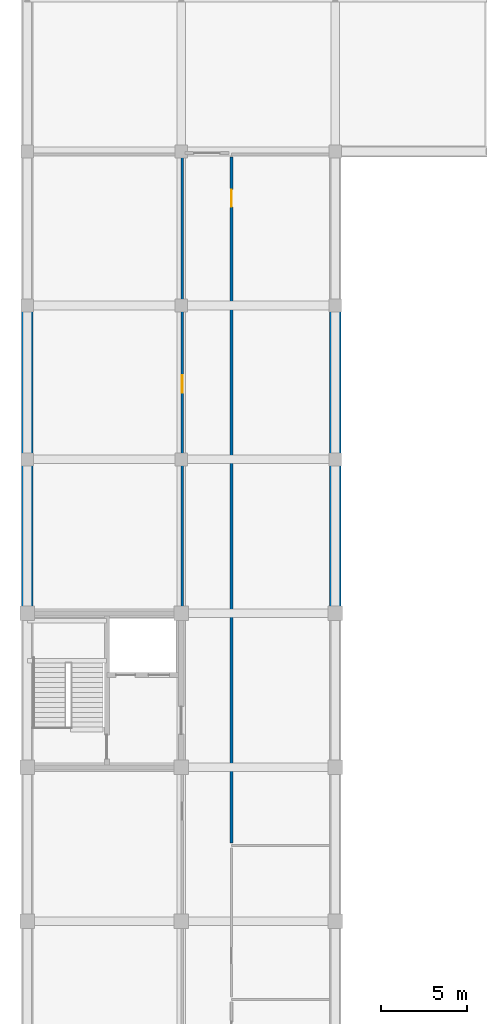
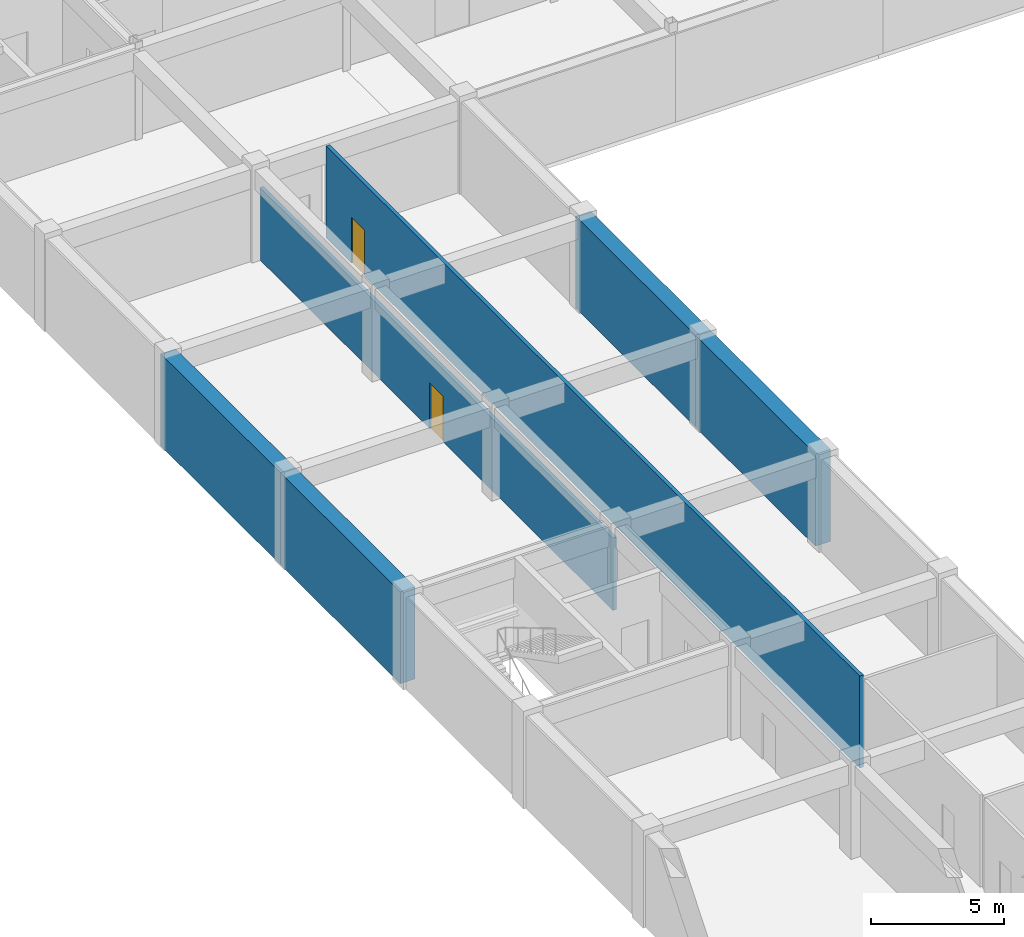
# One storey, part 20 of 35: 6 walls, 2 doors, 2 openings.
"""IFC4 building model written with IfcOpenShell, lengths in metres."""

import ifcopenshell
import ifcopenshell.guid

model = None  # the IFC model being written
_history = None  # IfcOwnerHistory: only IFC2X3 demands one
_inside = {}  # id of a spatial element -> (the spatial element, [elements in it])
_under = {}  # id of a project, library or spatial element -> (it, [spatial elements below it])
_declared = {}  # id of a project -> (the project, [libraries it declares])
_typed = {}  # id of a type object -> (the type object, [elements of that type])
_made_of = {}  # id of a material, layer set ... -> (it, [elements and type objects made of it])


def new_model(schema):
    """Start an empty IFC model of exactly this schema.

    Asked for "IFC4X3", IfcOpenShell would pick the latest addendum, in which some entities
    have other attributes; the version numbers below select the first issue.
    IFC2X3 requires an IfcOwnerHistory on every rooted entity: one is made here for all.
    """
    global model, _history
    if schema == "IFC4X3":
        model = ifcopenshell.file(schema_version=(4, 3, 0, 0))
    else:
        model = ifcopenshell.file(schema=schema)
    _inside.clear()
    _under.clear()
    _declared.clear()
    _typed.clear()
    _made_of.clear()
    _history = None
    if model.schema == "IFC2X3":
        org = make("IfcOrganization", Name="unknown")
        user = make(
            "IfcPersonAndOrganization",
            ThePerson=make("IfcPerson", FamilyName="unknown"),
            TheOrganization=org,
        )
        app = make(
            "IfcApplication",
            ApplicationDeveloper=org,
            Version="unknown",
            ApplicationFullName="unknown",
            ApplicationIdentifier="unknown",
        )
        _history = make(
            "IfcOwnerHistory",
            OwningUser=user,
            OwningApplication=app,
            ChangeAction="ADDED",
            CreationDate=0,
        )
    return model


def make(cls, **values):
    """One entity of the class cls with the attributes given. An attribute that is None is left unset."""
    return model.create_entity(
        cls, **{name: value for name, value in values.items() if value is not None}
    )


def rooted(cls, **values):
    """An entity with a GlobalId (a new one), such as an element, a storey or a relation."""
    return make(cls, GlobalId=ifcopenshell.guid.new(), OwnerHistory=_history, **values)


def si_unit(unit_type, name, prefix=None):
    """IfcSIUnit, for example si_unit("LENGTHUNIT", "METRE", prefix="MILLI")."""
    return make("IfcSIUnit", UnitType=unit_type, Prefix=prefix, Name=name)


def assignment(units):
    """IfcUnitAssignment: the units of a project."""
    return None if units is None else make("IfcUnitAssignment", Units=units)


def point(xyz):
    """IfcCartesianPoint."""
    return None if xyz is None else make("IfcCartesianPoint", Coordinates=xyz)


def direction(xyz):
    """IfcDirection."""
    return None if xyz is None else make("IfcDirection", DirectionRatios=xyz)


def frame(location, z_axis=None, x_axis=None):
    """IfcAxis2Placement3D, a coordinate frame: its origin and axes. An axis left out is left unset."""
    return make(
        "IfcAxis2Placement3D",
        Location=point(location),
        Axis=direction(z_axis),
        RefDirection=direction(x_axis),
    )


def frame_2d(location, x_axis=None):
    """IfcAxis2Placement2D, a coordinate frame in the plane: its origin and x axis."""
    return make(
        "IfcAxis2Placement2D", Location=point(location), RefDirection=direction(x_axis)
    )


def origin():
    """The frame at (0, 0, 0) with its axes left unset."""
    return frame((0.0, 0.0, 0.0))


def place(relative_to, where):
    """IfcLocalPlacement: puts the frame where relative to a parent placement (None: the world)."""
    return make(
        "IfcLocalPlacement", PlacementRelTo=relative_to, RelativePlacement=where
    )


def context(
    kind, dimensions, precision=None, world=None, true_north=None, identifier=None
):
    """IfcGeometricRepresentationContext, for example the 3D "Model" context."""
    return make(
        "IfcGeometricRepresentationContext",
        ContextIdentifier=identifier,
        ContextType=kind,
        CoordinateSpaceDimension=dimensions,
        Precision=precision,
        WorldCoordinateSystem=world,
        TrueNorth=true_north,
    )


def subcontext(parent, identifier, kind, view, scale=None):
    """IfcGeometricRepresentationSubContext, for example "Body" below "Model"."""
    return make(
        "IfcGeometricRepresentationSubContext",
        ContextIdentifier=identifier,
        ContextType=kind,
        ParentContext=parent,
        TargetScale=scale,
        TargetView=view,
    )


def project(units=None, contexts=None):
    """IfcProject with its units and contexts."""
    return rooted(
        "IfcProject",
        Name="project",
        RepresentationContexts=contexts,
        UnitsInContext=assignment(units),
    )


def spatial(cls, under=None, at=None, **own):
    """A site, building, storey or space (cls), placed at a placement, below another one or the project."""
    s = rooted(cls, ObjectPlacement=at, **own)
    if under is not None:
        _under.setdefault(under.id(), (under, []))[1].append(s)
    return s


def profile(cls, at=None, kind="AREA", **sizes):
    """A parametric profile (cls). Its sizes go by their IFC names, for example OverallWidth=200.0."""
    return make(cls, ProfileType=kind, Position=at, **sizes)


def rectangle(**sizes):
    """IfcRectangleProfileDef."""
    return profile("IfcRectangleProfileDef", **sizes)


def extrude(swept, where, along, depth):
    """IfcExtrudedAreaSolid: the profile swept, set in the frame where, extruded along a direction by depth."""
    return make(
        "IfcExtrudedAreaSolid",
        SweptArea=swept,
        Position=where,
        ExtrudedDirection=direction(along),
        Depth=depth,
    )


def shape(context_of_items, identifier, shape_type, items):
    """IfcShapeRepresentation: the items that make up one representation, for example the "Body"."""
    return make(
        "IfcShapeRepresentation",
        ContextOfItems=context_of_items,
        RepresentationIdentifier=identifier,
        RepresentationType=shape_type,
        Items=items,
    )


def material(Name=None, Category=None):
    """IfcMaterial."""
    return make("IfcMaterial", Name=Name, Category=Category)


def layer(
    of_material, thickness, ventilated=None, Name=None, Category=None, Priority=None
):
    """IfcMaterialLayer: one layer of a wall or slab, of a material (None: an air gap)."""
    return make(
        "IfcMaterialLayer",
        Material=of_material,
        LayerThickness=thickness,
        IsVentilated=ventilated,
        Name=Name,
        Category=Category,
        Priority=Priority,
    )


def layer_set(layers, Name=None):
    """IfcMaterialLayerSet."""
    return make("IfcMaterialLayerSet", MaterialLayers=layers, LayerSetName=Name)


def made_of(thing, what):
    """Note that an element or type object is made of a material, layer set ...; save() writes the relation."""
    if what is not None:
        _made_of.setdefault(what.id(), (what, []))[1].append(thing)
    return thing


def type_object(cls, material=None, **own):
    """A type object (cls), such as IfcWallType, which elements share."""
    return made_of(rooted(cls, **own), material)


def element(
    cls,
    number,
    at=None,
    inside=None,
    cuts=None,
    type_object=None,
    material=None,
    context=None,
    identifier="Body",
    shape_type=None,
    held_by="IfcProductDefinitionShape",
    body=None,
    shapes=None,
    **own,
):
    """One element of the class cls, such as IfcWall. Its Tag is "e" and its number.

    at: its placement. inside: the storey or other place that contains it. cuts: it is an
    opening in that element (IfcRelVoidsElement). A single representation is given by context,
    identifier, shape_type and body (its items); several are given by shapes. held_by: the class
    of the entity that holds the representations. save() writes the other relations.
    """
    e = rooted(cls, Tag="e%d" % number, ObjectPlacement=at, **own)
    if body is not None:
        shapes = [shape(context, identifier, shape_type, body)]
    if shapes is not None:
        e.Representation = make(held_by, Representations=shapes)
    if inside is not None:
        _inside.setdefault(inside.id(), (inside, []))[1].append(e)
    if cuts is not None:
        rooted(
            "IfcRelVoidsElement", RelatingBuildingElement=cuts, RelatedOpeningElement=e
        )
    if type_object is not None:
        _typed.setdefault(type_object.id(), (type_object, []))[1].append(e)
    return made_of(e, material)


def fill(opening, filler):
    """IfcRelFillsElement: the door or window that sits in an opening."""
    return rooted(
        "IfcRelFillsElement",
        RelatingOpeningElement=opening,
        RelatedBuildingElement=filler,
    )


def aggregate(whole, parts):
    """IfcRelAggregates: a whole, such as a stair, and the parts it consists of."""
    return rooted("IfcRelAggregates", RelatingObject=whole, RelatedObjects=parts)


def save(model, path):
    """Write the relations noted so far, then the file.

    IfcRelAggregates (storeys below a building ...), IfcRelContainedInSpatialStructure (elements
    in a storey), IfcRelDefinesByType, IfcRelAssociatesMaterial and IfcRelDeclares: one each for
    every whole, place, type object, material and project.
    """
    for whole, parts in _under.values():
        aggregate(whole, parts)
    for where, things in _inside.values():
        rooted(
            "IfcRelContainedInSpatialStructure",
            RelatedElements=things,
            RelatingStructure=where,
        )
    for kind, things in _typed.values():
        rooted("IfcRelDefinesByType", RelatedObjects=things, RelatingType=kind)
    for what, things in _made_of.values():
        rooted("IfcRelAssociatesMaterial", RelatedObjects=things, RelatingMaterial=what)
    for by, libraries in _declared.values():
        rooted("IfcRelDeclares", RelatingContext=by, RelatedDefinitions=libraries)
    model.write(path)


model = new_model("IFC4")

# Units and contexts
model_context = context("Model", 3, precision=1e-05, world=origin(), true_north=direction((0.0, 1.0)))
body_context = subcontext(model_context, "Body", "Model", "MODEL_VIEW")
ifc_project = project(units=[si_unit("LENGTHUNIT", "METRE"), si_unit("AREAUNIT", "SQUARE_METRE"), si_unit("VOLUMEUNIT", "CUBIC_METRE"), si_unit("PLANEANGLEUNIT", "RADIAN"), si_unit("MASSUNIT", "GRAM", prefix="KILO")], contexts=[model_context])

# Site, building, storey
site_placement = place(None, origin())
site = spatial("IfcSite", under=ifc_project, at=site_placement, CompositionType="ELEMENT")
building_placement = place(site_placement, origin())
building = spatial("IfcBuilding", under=site, at=building_placement, Name="Palais des Congres Ocreval", CompositionType="ELEMENT")
storey_placement = place(building_placement, frame((0.0, 0.0, -4.47998046875)))
storey = spatial("IfcBuildingStorey", under=building, at=storey_placement, Name="B1", CompositionType="ELEMENT", Elevation=-4.47998046875)

# Wall, opening, door
ifc_material_1 = material(Name="Gypsum acoustic partition")
ifc_layer_1 = layer(ifc_material_1, 0.159912109375)
ifc_layer_set_1 = layer_set([ifc_layer_1], Name="Corridor Fire Partition 160 Gypsum (Gypsum acoustic partition)")
wall_type_1 = type_object("IfcWallType", Name="Corridor Fire Partition 160 Gypsum", PredefinedType="PARTITIONING", material=ifc_layer_set_1)
wall_1_placement = place(storey_placement, frame((9.06494140625, 45.155029296875, 0.0), z_axis=(0.0, 0.0, 1.0), x_axis=(0.0, 1.0, 0.0)))
wall_1 = element("IfcWall", 1, at=wall_1_placement, inside=storey, type_object=wall_type_1, Name="Interior Partition IW03 B1", PredefinedType="PARTITIONING", context=body_context, shape_type="SweptSolid", body=[
    extrude(rectangle(XDim=26.514892578125, YDim=0.159912109375, at=frame_2d((13.25732421875, 0.0))), origin(), (0.0, 0.0, 1.0), 3.320068359375),
])
opening_1_placement = place(wall_1_placement, frame((12.757568359375, 0.0, 0.0)))
opening_1 = element("IfcOpeningElement", 2, at=opening_1_placement, cuts=wall_1, Name="Opening D10", PredefinedType="OPENING", context=body_context, shape_type="SweptSolid", body=[
    extrude(rectangle(XDim=1.0, YDim=2.10009765625, at=frame_2d((0.5, 1.050048828125))), frame((0.0, 0.08984375, 0.0), z_axis=(0.0, -1.0, 0.0), x_axis=(1.0, 0.0, 0.0)), (0.0, 0.0, 1.0), 0.179931640625),
])
ifc_material_2 = material(Name="Painted steel", Category="steel")
door_type = type_object("IfcDoorType", Name="Service and Pantry Door 1000x2100", OperationType="NOTDEFINED", PredefinedType="DOOR", material=ifc_material_2)
door_1_placement = place(opening_1_placement, origin())
door_1 = element("IfcDoor", 3, at=door_1_placement, inside=storey, type_object=door_type, Name="Interior Door D10 B1", OperationType="SINGLE_SWING_RIGHT", OverallHeight=2.10009765625, OverallWidth=1.0, PredefinedType="DOOR", context=body_context, shape_type="SweptSolid", body=[
    extrude(rectangle(XDim=1.0, YDim=2.10009765625, at=frame_2d((0.5, 1.050048828125))), frame((0.0, 0.02490234375, 0.0), z_axis=(0.0, -1.0, 0.0), x_axis=(1.0, 0.0, 0.0)), (0.0, 0.0, 1.0), 0.050048828125),
])
fill(opening_1, door_1)

wall_2_placement = place(storey_placement, frame((11.93505859375, 31.590087890625, 0.0), z_axis=(0.0, 0.0, 1.0), x_axis=(0.0, 1.0, 0.0)))
wall_2 = element("IfcWall", 4, at=wall_2_placement, inside=storey, type_object=wall_type_1, Name="Interior Partition IW03 B1", PredefinedType="PARTITIONING", context=body_context, shape_type="SweptSolid", body=[
    extrude(rectangle(XDim=40.079833984375, YDim=0.159912109375, at=frame_2d((20.0400390625, 0.0))), origin(), (0.0, 0.0, 1.0), 4.219970703125),
])
opening_2_placement = place(wall_2_placement, frame((37.179931640625, 0.0, 0.0)))
opening_2 = element("IfcOpeningElement", 5, at=opening_2_placement, cuts=wall_2, Name="Opening D10", PredefinedType="OPENING", context=body_context, shape_type="SweptSolid", body=[
    extrude(rectangle(XDim=1.0, YDim=2.10009765625, at=frame_2d((0.5, 1.050048828125))), frame((0.0, 0.08984375, 0.0), z_axis=(0.0, -1.0, 0.0), x_axis=(1.0, 0.0, 0.0)), (0.0, 0.0, 1.0), 0.179931640625),
])
door_2_placement = place(opening_2_placement, origin())
door_2 = element("IfcDoor", 6, at=door_2_placement, inside=storey, type_object=door_type, Name="Interior Door D10 B1", OperationType="SINGLE_SWING_LEFT", OverallHeight=2.10009765625, OverallWidth=1.0, PredefinedType="DOOR", context=body_context, shape_type="SweptSolid", body=[
    extrude(rectangle(XDim=1.0, YDim=2.10009765625, at=frame_2d((0.5, 1.050048828125))), frame((0.0, 0.02490234375, 0.0), z_axis=(0.0, -1.0, 0.0), x_axis=(1.0, 0.0, 0.0)), (0.0, 0.0, 1.0), 0.050048828125),
])
fill(opening_2, door_2)

# Walls
ifc_material_3 = material(Name="Concrete C35/45", Category="concrete")
ifc_layer_2 = layer(ifc_material_3, 0.64990234375)
ifc_layer_set_2 = layer_set([ifc_layer_2], Name="Upper Retaining Wall 650 Concrete C35/45")
wall_type_2 = type_object("IfcWallType", Name="Upper Retaining Wall 650 Concrete C35/45", PredefinedType="USERDEFINED", material=ifc_layer_set_2)
for number, where, z_axis, x_axis, name in (
    (7, (0.0, 45.0, 0.0), (0.0, 0.0, 1.0), (0.0, 1.0, 0.0), "Basement Diaphragm Wall RW02 B1"),
    (8, (0.0, 54.0, 0.0), (0.0, 0.0, 1.0), (0.0, 1.0, 0.0), "Basement Diaphragm Wall RW02 B1"),
    (9, (18.0, 63.0, 0.0), (0.0, 0.0, 1.0), (0.0, -1.0, 0.0), "Basement Diaphragm Wall RW02 B1"),
    (10, (18.0, 54.0, 0.0), (0.0, 0.0, 1.0), (0.0, -1.0, 0.0), "Basement Diaphragm Wall RW02 B1"),
):
    element("IfcWall", number, at=place(storey_placement, frame(where, z_axis=z_axis, x_axis=x_axis)), inside=storey, type_object=wall_type_2, Name=name, ObjectType="RETAININGWALL", PredefinedType="USERDEFINED", context=body_context, shape_type="SweptSolid", body=[
        extrude(rectangle(XDim=9.0, YDim=0.64990234375, at=frame_2d((4.5, 0.0))), origin(), (0.0, 0.0, 1.0), 4.219970703125),
    ])

save(model, "model.ifc")
